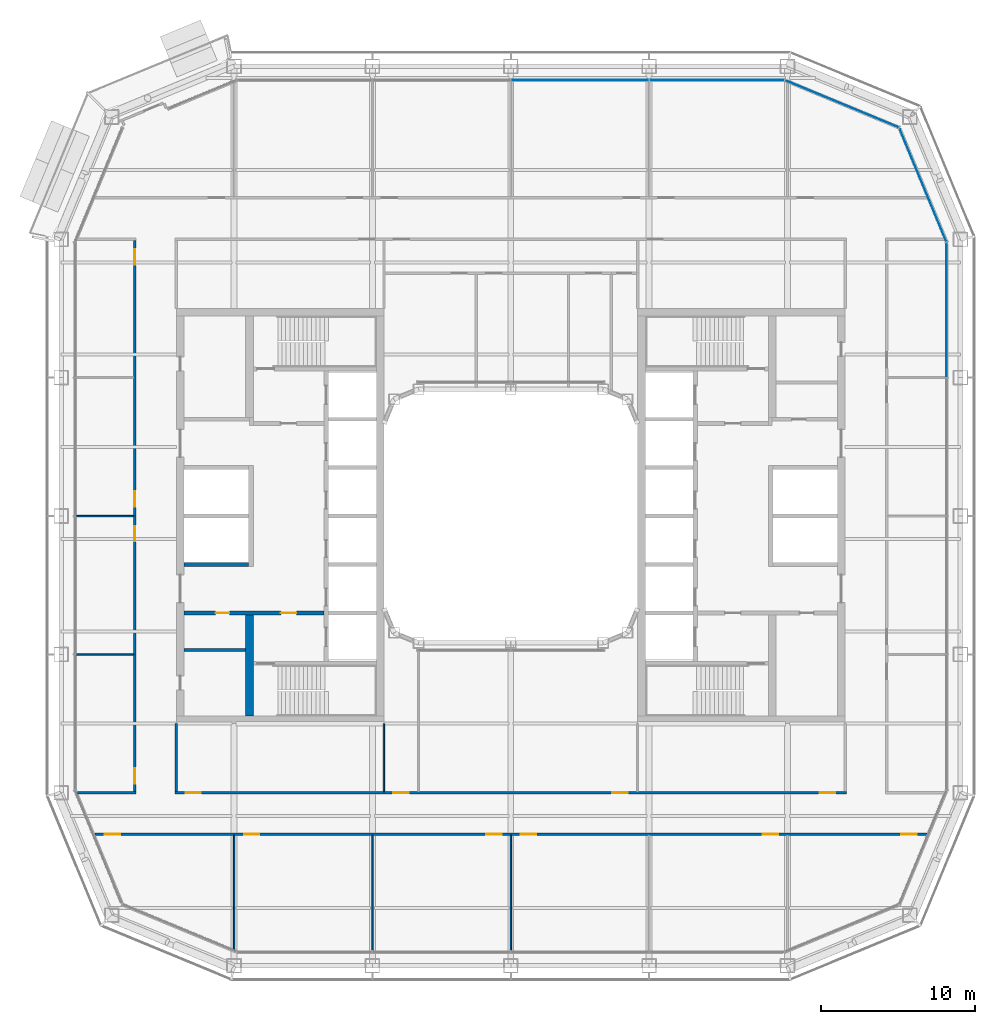
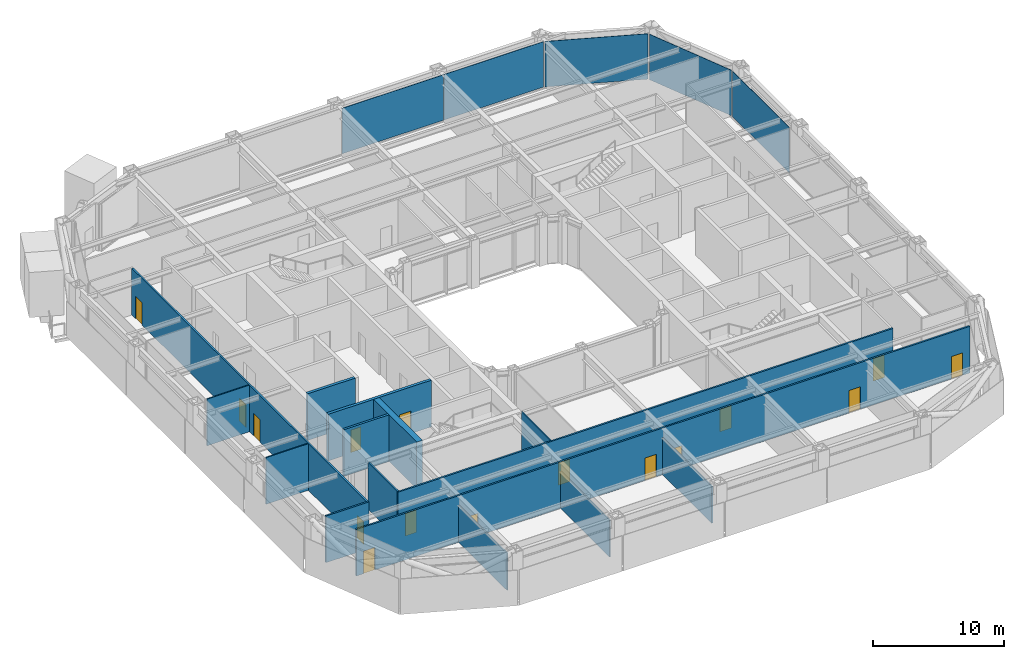
# One storey, part 11 of 23: 16 doors, 15 walls, 5 plates, 16 openings, 4 elements without a shape of their own.
"""IFC4 building model written with IfcOpenShell, lengths in metres."""

from ifc_helpers import new_model, si_unit, direction, frame, frame_2d, origin, origin_2d, place, context, subcontext, project, spatial, rectangle, extrude, material, layer, layer_set, type_object, element, fill, aggregate, save


model = new_model("IFC4")

# Units and contexts
model_context = context("Model", 3, precision=1e-05, world=origin(), true_north=direction((0.0, 1.0)))
body_context = subcontext(model_context, "Body", "Model", "MODEL_VIEW")
ifc_project = project(units=[si_unit("LENGTHUNIT", "METRE"), si_unit("AREAUNIT", "SQUARE_METRE"), si_unit("VOLUMEUNIT", "CUBIC_METRE"), si_unit("PLANEANGLEUNIT", "RADIAN"), si_unit("MASSUNIT", "GRAM", prefix="KILO")], contexts=[model_context])

# Site, building, storey
site_placement = place(None, origin())
site = spatial("IfcSite", under=ifc_project, at=site_placement, CompositionType="ELEMENT")
building_placement = place(site_placement, origin())
building = spatial("IfcBuilding", under=site, at=building_placement, Name="Siwar Civic Tower", CompositionType="ELEMENT")
storey_placement = place(building_placement, frame((0.0, 0.0, 118.199951171875)))
storey = spatial("IfcBuildingStorey", under=building, at=storey_placement, Name="L25", CompositionType="ELEMENT", Elevation=118.199951171875)

# Curtain wall, plate
ifc_material_1 = material(Name="Aluminium and glass", Category="aluminium")
ifc_layer_1 = layer(ifc_material_1, 0.199951171875)
ifc_layer_set_1 = layer_set([ifc_layer_1], Name="Aluminium and glass")
curtain_wall_type_1 = type_object("IfcCurtainWallType", Name="ENV-CW-B", PredefinedType="NOTDEFINED", material=ifc_layer_set_1)
curtain_wall_1_placement = place(storey_placement, origin())
curtain_wall_1 = element("IfcCurtainWall", 1, at=curtain_wall_1_placement, inside=storey, type_object=curtain_wall_type_1, Name="Curtain wall B E", PredefinedType="NOTDEFINED")
ifc_material_2 = material(Name="Glass clear laminated", Category="glass")
ifc_layer_2 = layer(ifc_material_2, 0.033935546875)
ifc_layer_set_2 = layer_set([ifc_layer_2], Name="Glass clear laminated")
plate_type_1 = type_object("IfcPlateType", Name="ENV-PANEL-B", PredefinedType="CURTAIN_PANEL", material=ifc_layer_set_2)
plate_1_placement = place(storey_placement, frame((28.35009765625, 13.369873046875, 0.10986328125), z_axis=(0.0, 0.0, 1.0), x_axis=(0.0, 1.0, 0.0)))
plate_1 = element("IfcPlate", 2, at=plate_1_placement, type_object=plate_type_1, Name="Curtain panel B E 4", PredefinedType="CURTAIN_PANEL", context=body_context, shape_type="SweptSolid", body=[
    extrude(rectangle(XDim=8.6748046875, YDim=0.033935546875, at=origin_2d()), origin(), (0.0, 0.0, 1.0), 4.239990234375),
])
aggregate(curtain_wall_1, [plate_1])

# Curtain wall, plates
curtain_wall_2_placement = place(storey_placement, origin())
curtain_wall_2 = element("IfcCurtainWall", 3, at=curtain_wall_2_placement, inside=storey, type_object=curtain_wall_type_1, Name="Curtain wall B N", PredefinedType="NOTDEFINED")
plate_2_placement = place(storey_placement, frame((13.410400390625, 28.35009765625, 0.10986328125), z_axis=(0.0, 0.0, 1.0), x_axis=(-1.0, 0.0, 0.0)))
plate_2 = element("IfcPlate", 4, at=plate_2_placement, type_object=plate_type_1, Name="Curtain panel B N 1", PredefinedType="CURTAIN_PANEL", context=body_context, shape_type="SweptSolid", body=[
    extrude(rectangle(XDim=8.755859375, YDim=0.033935546875, at=origin_2d()), origin(), (0.0, 0.0, 1.0), 4.239990234375),
])
plate_3_placement = place(storey_placement, frame((4.5, 28.35009765625, 0.10986328125), z_axis=(0.0, 0.0, 1.0), x_axis=(-1.0, 0.0, 0.0)))
plate_3 = element("IfcPlate", 5, at=plate_3_placement, type_object=plate_type_1, Name="Curtain panel B N 2", PredefinedType="CURTAIN_PANEL", context=body_context, shape_type="SweptSolid", body=[
    extrude(rectangle(XDim=8.93505859375, YDim=0.033935546875, at=origin_2d()), origin(), (0.0, 0.0, 1.0), 4.239990234375),
])
aggregate(curtain_wall_2, [plate_2, plate_3])

# Curtain wall, plate
ifc_material_3 = material(Name="Aluminium clad insulated panel", Category="aluminium")
ifc_layer_3 = layer(ifc_material_3, 0.199951171875)
ifc_layer_set_3 = layer_set([ifc_layer_3], Name="Aluminium clad insulated panel")
curtain_wall_type_2 = type_object("IfcCurtainWallType", Name="ENV-CW-BX", PredefinedType="NOTDEFINED", material=ifc_layer_set_3)
curtain_wall_3_placement = place(storey_placement, origin())
curtain_wall_3 = element("IfcCurtainWall", 6, at=curtain_wall_3_placement, inside=storey, type_object=curtain_wall_type_2, Name="Curtain wall B NE1", PredefinedType="NOTDEFINED")
ifc_material_4 = material(Name="Aluminium clad insulated panel", Category="aluminium")
ifc_layer_4 = layer(ifc_material_4, 0.033935546875)
ifc_layer_set_4 = layer_set([ifc_layer_4], Name="Aluminium clad insulated panel")
plate_type_2 = type_object("IfcPlateType", Name="ENV-PANEL-BX", PredefinedType="CURTAIN_PANEL", material=ifc_layer_set_4)
plate_4_placement = place(storey_placement, frame((26.823486328125, 21.506103515625, 0.10986328125), z_axis=(0.0, 0.0, 1.0), x_axis=(-0.382683432365, 0.923879532511, 0.0)))
plate_4 = element("IfcPlate", 7, at=plate_4_placement, type_object=plate_type_2, Name="Curtain panel B NE1 1", PredefinedType="CURTAIN_PANEL", context=body_context, shape_type="SweptSolid", body=[
    extrude(rectangle(XDim=7.912353515625, YDim=0.033935546875, at=origin_2d()), origin(), (0.0, 0.0, 1.0), 4.239990234375),
])
aggregate(curtain_wall_3, [plate_4])

curtain_wall_4_placement = place(storey_placement, origin())
curtain_wall_4 = element("IfcCurtainWall", 8, at=curtain_wall_4_placement, inside=storey, type_object=curtain_wall_type_2, Name="Curtain wall B NE2", PredefinedType="NOTDEFINED")
plate_5_placement = place(storey_placement, frame((21.5810546875, 26.79248046875, 0.10986328125), z_axis=(0.0, 0.0, 1.0), x_axis=(-0.923879532511, 0.382683432365, 0.0)))
plate_5 = element("IfcPlate", 9, at=plate_5_placement, type_object=plate_type_2, Name="Curtain panel B NE2 1", PredefinedType="CURTAIN_PANEL", context=body_context, shape_type="SweptSolid", body=[
    extrude(rectangle(XDim=7.912353515625, YDim=0.033935546875, at=origin_2d()), origin(), (0.0, 0.0, 1.0), 4.239990234375),
])
aggregate(curtain_wall_4, [plate_5])

# Wall
ifc_material_5 = material(Name="Gypsum board on steel studs", Category="steel")
ifc_layer_5 = layer(ifc_material_5, 0.199951171875)
ifc_layer_set_5 = layer_set([ifc_layer_5], Name="Gypsum board on steel studs")
wall_type_1 = type_object("IfcWallType", Name="CORE-PARTITION-200", PredefinedType="PARTITIONING", material=ifc_layer_set_5)
wall_1_placement = place(storey_placement, frame((-17.25, -8.699951171875, 0.0), z_axis=(0.0, 0.0, 1.0), x_axis=(-1.0, 0.0, 0.0)))
element("IfcWall", 10, at=wall_1_placement, inside=storey, type_object=wall_type_1, Name="Core partition W", PredefinedType="PARTITIONING", context=body_context, shape_type="SweptSolid", body=[
    extrude(rectangle(XDim=4.0, YDim=0.199951171875, at=frame_2d((2.0, 0.0))), origin(), (0.0, 0.0, 1.0), 4.35009765625),
])

# Wall, openings, doors
ifc_material_6 = material(Name="Concrete C60/75", Category="concrete")
ifc_layer_6 = layer(ifc_material_6, 0.25)
ifc_layer_set_6 = layer_set([ifc_layer_6], Name="Concrete C60/75")
wall_type_2 = type_object("IfcWallType", Name="CORE-WALL-RC250", PredefinedType="SHEAR", material=ifc_layer_set_6)
wall_2_placement = place(storey_placement, frame((-12.14990234375, -6.300048828125, 0.0), z_axis=(0.0, 0.0, 1.0), x_axis=(-1.0, 0.0, 0.0)))
wall_2 = element("IfcWall", 11, at=wall_2_placement, inside=storey, type_object=wall_type_2, Name="Core wall W", PredefinedType="SHEAR", context=body_context, shape_type="SweptSolid", body=[
    extrude(rectangle(XDim=9.10009765625, YDim=0.25, at=frame_2d((4.550048828125, 0.0))), origin(), (0.0, 0.0, 1.0), 4.35009765625),
])
opening_1_placement = place(wall_2_placement, frame((1.800048828125, 0.0, 0.0)))
opening_1 = element("IfcOpeningElement", 12, at=opening_1_placement, cuts=wall_2, Name="Opening L25-CW02", PredefinedType="OPENING", context=body_context, shape_type="SweptSolid", body=[
    extrude(rectangle(XDim=1.0, YDim=2.10009765625, at=frame_2d((0.5, 1.050048828125))), frame((0.0, 0.135009765625, 0.0), z_axis=(0.0, -1.0, 0.0), x_axis=(1.0, 0.0, 0.0)), (0.0, 0.0, 1.0), 0.27001953125),
])
opening_2_placement = place(wall_2_placement, frame((6.14990234375, 0.0, 0.0)))
opening_2 = element("IfcOpeningElement", 13, at=opening_2_placement, cuts=wall_2, Name="Opening L25-CW14", PredefinedType="OPENING", context=body_context, shape_type="SweptSolid", body=[
    extrude(rectangle(XDim=0.89990234375, YDim=2.10009765625, at=frame_2d((0.449951171875, 1.050048828125))), frame((0.0, 0.135009765625, 0.0), z_axis=(0.0, -1.0, 0.0), x_axis=(1.0, 0.0, 0.0)), (0.0, 0.0, 1.0), 0.27001953125),
])
ifc_material_7 = material(Name="Steel door leaf", Category="steel")
door_type_1 = type_object("IfcDoorType", Name="CORE-DOOR-FD30S", OperationType="SINGLE_SWING_LEFT", PredefinedType="DOOR", material=ifc_material_7)
door_1_placement = place(opening_1_placement, origin())
door_1 = element("IfcDoor", 14, at=door_1_placement, inside=storey, type_object=door_type_1, Name="Service lobby door L25-CW02", OperationType="SINGLE_SWING_RIGHT", OverallHeight=2.10009765625, OverallWidth=1.0, PredefinedType="DOOR", context=body_context, shape_type="SweptSolid", body=[
    extrude(rectangle(XDim=1.0, YDim=2.10009765625, at=frame_2d((0.5, 1.050048828125))), frame((0.0, 0.02490234375, 0.0), z_axis=(0.0, -1.0, 0.0), x_axis=(1.0, 0.0, 0.0)), (0.0, 0.0, 1.0), 0.050048828125),
])
fill(opening_1, door_1)
ifc_material_8 = material(Name="Steel door leaf", Category="steel")
door_type_2 = type_object("IfcDoorType", Name="CORE-DOOR-ROOM", OperationType="SINGLE_SWING_LEFT", PredefinedType="DOOR", material=ifc_material_8)
door_2_placement = place(opening_2_placement, origin())
door_2 = element("IfcDoor", 15, at=door_2_placement, inside=storey, type_object=door_type_2, Name="Core room door L25-CW14", OperationType="SINGLE_SWING_RIGHT", OverallHeight=2.10009765625, OverallWidth=0.89990234375, PredefinedType="DOOR", context=body_context, shape_type="SweptSolid", body=[
    extrude(rectangle(XDim=0.89990234375, YDim=2.10009765625, at=frame_2d((0.449951171875, 1.050048828125))), frame((0.0, 0.02490234375, 0.0), z_axis=(0.0, -1.0, 0.0), x_axis=(1.0, 0.0, 0.0)), (0.0, 0.0, 1.0), 0.050048828125),
])
fill(opening_2, door_2)

# Walls
wall_3_placement = place(storey_placement, frame((-17.050048828125, -3.14990234375, 0.0), z_axis=(0.0, 0.0, 1.0), x_axis=(-1.0, 0.0, 0.0)))
element("IfcWall", 16, at=wall_3_placement, inside=storey, type_object=wall_type_2, Name="Core wall W", PredefinedType="SHEAR", context=body_context, shape_type="SweptSolid", body=[
    extrude(rectangle(XDim=4.199951171875, YDim=0.25, at=frame_2d((2.10009765625, 0.0))), origin(), (0.0, 0.0, 1.0), 4.35009765625),
])
ifc_material_9 = material(Name="Concrete C60/75", Category="concrete")
ifc_layer_7 = layer(ifc_material_9, 0.5)
ifc_layer_set_7 = layer_set([ifc_layer_7], Name="Concrete C60/75")
wall_type_3 = type_object("IfcWallType", Name="CORE-WALL-RC500", PredefinedType="SHEAR", material=ifc_layer_set_7)
wall_4_placement = place(storey_placement, frame((-17.0, -13.0, 0.0), z_axis=(0.0, 0.0, 1.0), x_axis=(0.0, 1.0, 0.0)))
element("IfcWall", 17, at=wall_4_placement, inside=storey, type_object=wall_type_3, Name="Core wall W", PredefinedType="SHEAR", context=body_context, shape_type="SweptSolid", body=[
    extrude(rectangle(XDim=6.574951171875, YDim=0.5, at=frame_2d((3.28759765625, 0.0))), origin(), (0.0, 0.0, 1.0), 4.35009765625),
])

# Wall, openings, doors
ifc_material_10 = material(Name="Gypsum board on steel studs", Category="steel")
ifc_layer_8 = layer(ifc_material_10, 0.14990234375)
ifc_layer_set_8 = layer_set([ifc_layer_8], Name="Gypsum board on steel studs")
wall_type_4 = type_object("IfcWallType", Name="CORRIDOR PARTITION 150 EI 30", PredefinedType="PARTITIONING", material=ifc_layer_set_8)
wall_5_placement = place(storey_placement, frame((-27.06005859375, -20.699951171875, 0.0), z_axis=(0.0, 0.0, 1.0), x_axis=(1.0, 0.0, 0.0)))
wall_5 = element("IfcWall", 18, at=wall_5_placement, inside=storey, type_object=wall_type_4, Name="L25/wall/P01", PredefinedType="PARTITIONING", context=body_context, shape_type="SweptSolid", body=[
    extrude(rectangle(XDim=54.1201171875, YDim=0.14990234375, at=frame_2d((27.06005859375, 0.0))), origin(), (0.0, 0.0, 1.0), 4.35009765625),
])
opening_3_placement = place(wall_5_placement, frame((9.7099609375, 0.0, 0.0)))
opening_3 = element("IfcOpeningElement", 19, at=opening_3_placement, cuts=wall_5, Name="Opening D1", PredefinedType="OPENING", context=body_context, shape_type="SweptSolid", body=[
    extrude(rectangle(XDim=1.0, YDim=2.10009765625, at=frame_2d((0.5, 1.050048828125))), frame((0.0, 0.0849609375, 0.0), z_axis=(0.0, -1.0, 0.0), x_axis=(1.0, 0.0, 0.0)), (0.0, 0.0, 1.0), 0.169921875),
])
opening_4_placement = place(wall_5_placement, frame((25.4599609375, 0.0, 0.0)))
opening_4 = element("IfcOpeningElement", 20, at=opening_4_placement, cuts=wall_5, Name="Opening D1", PredefinedType="OPENING", context=body_context, shape_type="SweptSolid", body=[
    extrude(rectangle(XDim=1.0, YDim=2.10009765625, at=frame_2d((0.5, 1.050048828125))), frame((0.0, 0.0849609375, 0.0), z_axis=(0.0, -1.0, 0.0), x_axis=(1.0, 0.0, 0.0)), (0.0, 0.0, 1.0), 0.169921875),
])
opening_5_placement = place(wall_5_placement, frame((27.7099609375, 0.0, 0.0)))
opening_5 = element("IfcOpeningElement", 21, at=opening_5_placement, cuts=wall_5, Name="Opening D1", PredefinedType="OPENING", context=body_context, shape_type="SweptSolid", body=[
    extrude(rectangle(XDim=1.0, YDim=2.10009765625, at=frame_2d((0.5, 1.050048828125))), frame((0.0, 0.0849609375, 0.0), z_axis=(0.0, -1.0, 0.0), x_axis=(1.0, 0.0, 0.0)), (0.0, 0.0, 1.0), 0.169921875),
])
opening_6_placement = place(wall_5_placement, frame((43.4599609375, 0.0, 0.0)))
opening_6 = element("IfcOpeningElement", 22, at=opening_6_placement, cuts=wall_5, Name="Opening D1", PredefinedType="OPENING", context=body_context, shape_type="SweptSolid", body=[
    extrude(rectangle(XDim=1.0, YDim=2.10009765625, at=frame_2d((0.5, 1.050048828125))), frame((0.0, 0.0849609375, 0.0), z_axis=(0.0, -1.0, 0.0), x_axis=(1.0, 0.0, 0.0)), (0.0, 0.0, 1.0), 0.169921875),
])
opening_7_placement = place(wall_5_placement, frame((0.64990234375, 0.0, 0.0)))
opening_7 = element("IfcOpeningElement", 23, at=opening_7_placement, cuts=wall_5, Name="Opening D1", PredefinedType="OPENING", context=body_context, shape_type="SweptSolid", body=[
    extrude(rectangle(XDim=1.0, YDim=2.10009765625, at=frame_2d((0.5, 1.050048828125))), frame((0.0, 0.0849609375, 0.0), z_axis=(0.0, -1.0, 0.0), x_axis=(1.0, 0.0, 0.0)), (0.0, 0.0, 1.0), 0.169921875),
])
opening_8_placement = place(wall_5_placement, frame((52.4599609375, 0.0, 0.0)))
opening_8 = element("IfcOpeningElement", 24, at=opening_8_placement, cuts=wall_5, Name="Opening D1", PredefinedType="OPENING", context=body_context, shape_type="SweptSolid", body=[
    extrude(rectangle(XDim=1.0, YDim=2.10009765625, at=frame_2d((0.5, 1.050048828125))), frame((0.0, 0.0849609375, 0.0), z_axis=(0.0, -1.0, 0.0), x_axis=(1.0, 0.0, 0.0)), (0.0, 0.0, 1.0), 0.169921875),
])
ifc_material_11 = material(Name="Timber, painted", Category="wood")
door_type_3 = type_object("IfcDoorType", Name="DOOR 1000 X 2100 FD30", OperationType="SINGLE_SWING_LEFT", PredefinedType="DOOR", material=ifc_material_11)
door_3_placement = place(opening_3_placement, origin())
door_3 = element("IfcDoor", 25, at=door_3_placement, inside=storey, type_object=door_type_3, Name="L25-D05", OperationType="SINGLE_SWING_LEFT", OverallHeight=2.10009765625, OverallWidth=1.0, PredefinedType="DOOR", context=body_context, shape_type="SweptSolid", body=[
    extrude(rectangle(XDim=1.0, YDim=2.10009765625, at=frame_2d((0.5, 1.050048828125))), frame((0.0, 0.02490234375, 0.0), z_axis=(0.0, -1.0, 0.0), x_axis=(1.0, 0.0, 0.0)), (0.0, 0.0, 1.0), 0.050048828125),
])
fill(opening_3, door_3)
door_4_placement = place(opening_4_placement, origin())
door_4 = element("IfcDoor", 26, at=door_4_placement, inside=storey, type_object=door_type_3, Name="L25-D06", OperationType="SINGLE_SWING_RIGHT", OverallHeight=2.10009765625, OverallWidth=1.0, PredefinedType="DOOR", context=body_context, shape_type="SweptSolid", body=[
    extrude(rectangle(XDim=1.0, YDim=2.10009765625, at=frame_2d((0.5, 1.050048828125))), frame((0.0, 0.02490234375, 0.0), z_axis=(0.0, -1.0, 0.0), x_axis=(1.0, 0.0, 0.0)), (0.0, 0.0, 1.0), 0.050048828125),
])
fill(opening_4, door_4)
door_5_placement = place(opening_5_placement, origin())
door_5 = element("IfcDoor", 27, at=door_5_placement, inside=storey, type_object=door_type_3, Name="L25-D07", OperationType="SINGLE_SWING_LEFT", OverallHeight=2.10009765625, OverallWidth=1.0, PredefinedType="DOOR", context=body_context, shape_type="SweptSolid", body=[
    extrude(rectangle(XDim=1.0, YDim=2.10009765625, at=frame_2d((0.5, 1.050048828125))), frame((0.0, 0.02490234375, 0.0), z_axis=(0.0, -1.0, 0.0), x_axis=(1.0, 0.0, 0.0)), (0.0, 0.0, 1.0), 0.050048828125),
])
fill(opening_5, door_5)
door_6_placement = place(opening_6_placement, origin())
door_6 = element("IfcDoor", 28, at=door_6_placement, inside=storey, type_object=door_type_3, Name="L25-D08", OperationType="SINGLE_SWING_RIGHT", OverallHeight=2.10009765625, OverallWidth=1.0, PredefinedType="DOOR", context=body_context, shape_type="SweptSolid", body=[
    extrude(rectangle(XDim=1.0, YDim=2.10009765625, at=frame_2d((0.5, 1.050048828125))), frame((0.0, 0.02490234375, 0.0), z_axis=(0.0, -1.0, 0.0), x_axis=(1.0, 0.0, 0.0)), (0.0, 0.0, 1.0), 0.050048828125),
])
fill(opening_6, door_6)
door_7_placement = place(opening_7_placement, origin())
door_7 = element("IfcDoor", 29, at=door_7_placement, inside=storey, type_object=door_type_3, Name="L25-D11", OperationType="SINGLE_SWING_LEFT", OverallHeight=2.10009765625, OverallWidth=1.0, PredefinedType="DOOR", context=body_context, shape_type="SweptSolid", body=[
    extrude(rectangle(XDim=1.0, YDim=2.10009765625, at=frame_2d((0.5, 1.050048828125))), frame((0.0, 0.02490234375, 0.0), z_axis=(0.0, -1.0, 0.0), x_axis=(1.0, 0.0, 0.0)), (0.0, 0.0, 1.0), 0.050048828125),
])
fill(opening_7, door_7)
door_8_placement = place(opening_8_placement, origin())
door_8 = element("IfcDoor", 30, at=door_8_placement, inside=storey, type_object=door_type_3, Name="L25-D12", OperationType="SINGLE_SWING_RIGHT", OverallHeight=2.10009765625, OverallWidth=1.0, PredefinedType="DOOR", context=body_context, shape_type="SweptSolid", body=[
    extrude(rectangle(XDim=1.0, YDim=2.10009765625, at=frame_2d((0.5, 1.050048828125))), frame((0.0, 0.02490234375, 0.0), z_axis=(0.0, -1.0, 0.0), x_axis=(1.0, 0.0, 0.0)), (0.0, 0.0, 1.0), 0.050048828125),
])
fill(opening_8, door_8)

# Wall
wall_6_placement = place(storey_placement, frame((-28.177978515625, -18.0, 0.0), z_axis=(0.0, 0.0, 1.0), x_axis=(1.0, 0.0, 0.0)))
element("IfcWall", 31, at=wall_6_placement, inside=storey, type_object=wall_type_4, Name="L25/wall/P02", PredefinedType="PARTITIONING", context=body_context, shape_type="SweptSolid", body=[
    extrude(rectangle(XDim=3.802978515625, YDim=0.14990234375, at=frame_2d((1.9013671875, 0.0))), origin(), (0.0, 0.0, 1.0), 4.35009765625),
])

# Wall, openings, doors
wall_7_placement = place(storey_placement, frame((-21.824951171875, -18.0, 0.0), z_axis=(0.0, 0.0, 1.0), x_axis=(1.0, 0.0, 0.0)))
wall_7 = element("IfcWall", 32, at=wall_7_placement, inside=storey, type_object=wall_type_4, Name="L25/wall/P03", PredefinedType="PARTITIONING", context=body_context, shape_type="SweptSolid", body=[
    extrude(rectangle(XDim=43.64990234375, YDim=0.14990234375, at=frame_2d((21.824951171875, 0.0))), origin(), (0.0, 0.0, 1.0), 4.35009765625),
])
opening_9_placement = place(wall_7_placement, frame((14.175048828125, 0.0, 0.0)))
opening_9 = element("IfcOpeningElement", 33, at=opening_9_placement, cuts=wall_7, Name="Opening D3", PredefinedType="OPENING", context=body_context, shape_type="SweptSolid", body=[
    extrude(rectangle(XDim=1.0, YDim=2.10009765625, at=frame_2d((0.5, 1.050048828125))), frame((0.0, 0.0849609375, 0.0), z_axis=(0.0, -1.0, 0.0), x_axis=(1.0, 0.0, 0.0)), (0.0, 0.0, 1.0), 0.169921875),
])
opening_10_placement = place(wall_7_placement, frame((28.425048828125, 0.0, 0.0)))
opening_10 = element("IfcOpeningElement", 34, at=opening_10_placement, cuts=wall_7, Name="Opening D1", PredefinedType="OPENING", context=body_context, shape_type="SweptSolid", body=[
    extrude(rectangle(XDim=1.0, YDim=2.10009765625, at=frame_2d((0.5, 1.050048828125))), frame((0.0, 0.0849609375, 0.0), z_axis=(0.0, -1.0, 0.0), x_axis=(1.0, 0.0, 0.0)), (0.0, 0.0, 1.0), 0.169921875),
])
opening_11_placement = place(wall_7_placement, frame((0.675048828125, 0.0, 0.0)))
opening_11 = element("IfcOpeningElement", 35, at=opening_11_placement, cuts=wall_7, Name="Opening D1", PredefinedType="OPENING", context=body_context, shape_type="SweptSolid", body=[
    extrude(rectangle(XDim=1.0, YDim=2.10009765625, at=frame_2d((0.5, 1.050048828125))), frame((0.0, 0.0849609375, 0.0), z_axis=(0.0, -1.0, 0.0), x_axis=(1.0, 0.0, 0.0)), (0.0, 0.0, 1.0), 0.169921875),
])
opening_12_placement = place(wall_7_placement, frame((41.925048828125, 0.0, 0.0)))
opening_12 = element("IfcOpeningElement", 36, at=opening_12_placement, cuts=wall_7, Name="Opening D1", PredefinedType="OPENING", context=body_context, shape_type="SweptSolid", body=[
    extrude(rectangle(XDim=1.0, YDim=2.10009765625, at=frame_2d((0.5, 1.050048828125))), frame((0.0, 0.0849609375, 0.0), z_axis=(0.0, -1.0, 0.0), x_axis=(1.0, 0.0, 0.0)), (0.0, 0.0, 1.0), 0.169921875),
])
door_9_placement = place(opening_10_placement, origin())
door_9 = element("IfcDoor", 37, at=door_9_placement, inside=storey, type_object=door_type_3, Name="L25-D19", OperationType="SINGLE_SWING_LEFT", OverallHeight=2.10009765625, OverallWidth=1.0, PredefinedType="DOOR", context=body_context, shape_type="SweptSolid", body=[
    extrude(rectangle(XDim=1.0, YDim=2.10009765625, at=frame_2d((0.5, 1.050048828125))), frame((0.0, 0.02490234375, 0.0), z_axis=(0.0, -1.0, 0.0), x_axis=(1.0, 0.0, 0.0)), (0.0, 0.0, 1.0), 0.050048828125),
])
fill(opening_10, door_9)
door_10_placement = place(opening_11_placement, origin())
door_10 = element("IfcDoor", 38, at=door_10_placement, inside=storey, type_object=door_type_3, Name="L25-D22", OperationType="SINGLE_SWING_RIGHT", OverallHeight=2.10009765625, OverallWidth=1.0, PredefinedType="DOOR", context=body_context, shape_type="SweptSolid", body=[
    extrude(rectangle(XDim=1.0, YDim=2.10009765625, at=frame_2d((0.5, 1.050048828125))), frame((0.0, 0.02490234375, 0.0), z_axis=(0.0, -1.0, 0.0), x_axis=(1.0, 0.0, 0.0)), (0.0, 0.0, 1.0), 0.050048828125),
])
fill(opening_11, door_10)
door_11_placement = place(opening_12_placement, origin())
door_11 = element("IfcDoor", 39, at=door_11_placement, inside=storey, type_object=door_type_3, Name="L25-D23", OperationType="SINGLE_SWING_LEFT", OverallHeight=2.10009765625, OverallWidth=1.0, PredefinedType="DOOR", context=body_context, shape_type="SweptSolid", body=[
    extrude(rectangle(XDim=1.0, YDim=2.10009765625, at=frame_2d((0.5, 1.050048828125))), frame((0.0, 0.02490234375, 0.0), z_axis=(0.0, -1.0, 0.0), x_axis=(1.0, 0.0, 0.0)), (0.0, 0.0, 1.0), 0.050048828125),
])
fill(opening_12, door_11)
ifc_material_12 = material(Name="Timber, painted", Category="wood")
door_type_4 = type_object("IfcDoorType", Name="DOOR 1000 X 2100 WC", OperationType="SINGLE_SWING_LEFT", PredefinedType="DOOR", material=ifc_material_12)
door_12_placement = place(opening_9_placement, origin())
door_12 = element("IfcDoor", 40, at=door_12_placement, inside=storey, type_object=door_type_4, Name="L25-D18", OperationType="SINGLE_SWING_RIGHT", OverallHeight=2.10009765625, OverallWidth=1.0, PredefinedType="DOOR", context=body_context, shape_type="SweptSolid", body=[
    extrude(rectangle(XDim=1.0, YDim=2.10009765625, at=frame_2d((0.5, 1.050048828125))), frame((0.0, 0.02490234375, 0.0), z_axis=(0.0, -1.0, 0.0), x_axis=(1.0, 0.0, 0.0)), (0.0, 0.0, 1.0), 0.050048828125),
])
fill(opening_9, door_12)

wall_8_placement = place(storey_placement, frame((-24.449951171875, -17.925048828125, 0.0), z_axis=(0.0, 0.0, 1.0), x_axis=(0.0, 1.0, 0.0)))
wall_8 = element("IfcWall", 41, at=wall_8_placement, inside=storey, type_object=wall_type_4, Name="L25/wall/P17", PredefinedType="PARTITIONING", context=body_context, shape_type="SweptSolid", body=[
    extrude(rectangle(XDim=35.85009765625, YDim=0.14990234375, at=frame_2d((17.925048828125, 0.0))), origin(), (0.0, 0.0, 1.0), 4.35009765625),
])
opening_13_placement = place(wall_8_placement, frame((0.52490234375, 0.0, 0.0)))
opening_13 = element("IfcOpeningElement", 42, at=opening_13_placement, cuts=wall_8, Name="Opening D1", PredefinedType="OPENING", context=body_context, shape_type="SweptSolid", body=[
    extrude(rectangle(XDim=1.0, YDim=2.10009765625, at=frame_2d((0.5, 1.050048828125))), frame((0.0, 0.0849609375, 0.0), z_axis=(0.0, -1.0, 0.0), x_axis=(1.0, 0.0, 0.0)), (0.0, 0.0, 1.0), 0.169921875),
])
opening_14_placement = place(wall_8_placement, frame((16.27490234375, 0.0, 0.0)))
opening_14 = element("IfcOpeningElement", 43, at=opening_14_placement, cuts=wall_8, Name="Opening D1", PredefinedType="OPENING", context=body_context, shape_type="SweptSolid", body=[
    extrude(rectangle(XDim=1.0, YDim=2.10009765625, at=frame_2d((0.5, 1.050048828125))), frame((0.0, 0.0849609375, 0.0), z_axis=(0.0, -1.0, 0.0), x_axis=(1.0, 0.0, 0.0)), (0.0, 0.0, 1.0), 0.169921875),
])
opening_15_placement = place(wall_8_placement, frame((18.52490234375, 0.0, 0.0)))
opening_15 = element("IfcOpeningElement", 44, at=opening_15_placement, cuts=wall_8, Name="Opening D1", PredefinedType="OPENING", context=body_context, shape_type="SweptSolid", body=[
    extrude(rectangle(XDim=1.0, YDim=2.10009765625, at=frame_2d((0.5, 1.050048828125))), frame((0.0, 0.0849609375, 0.0), z_axis=(0.0, -1.0, 0.0), x_axis=(1.0, 0.0, 0.0)), (0.0, 0.0, 1.0), 0.169921875),
])
opening_16_placement = place(wall_8_placement, frame((34.27490234375, 0.0, 0.0)))
opening_16 = element("IfcOpeningElement", 45, at=opening_16_placement, cuts=wall_8, Name="Opening D1", PredefinedType="OPENING", context=body_context, shape_type="SweptSolid", body=[
    extrude(rectangle(XDim=1.0, YDim=2.10009765625, at=frame_2d((0.5, 1.050048828125))), frame((0.0, 0.0849609375, 0.0), z_axis=(0.0, -1.0, 0.0), x_axis=(1.0, 0.0, 0.0)), (0.0, 0.0, 1.0), 0.169921875),
])
door_13_placement = place(opening_13_placement, origin())
door_13 = element("IfcDoor", 46, at=door_13_placement, inside=storey, type_object=door_type_3, Name="L25-D24", OperationType="SINGLE_SWING_RIGHT", OverallHeight=2.10009765625, OverallWidth=1.0, PredefinedType="DOOR", context=body_context, shape_type="SweptSolid", body=[
    extrude(rectangle(XDim=1.0, YDim=2.10009765625, at=frame_2d((0.5, 1.050048828125))), frame((0.0, 0.02490234375, 0.0), z_axis=(0.0, -1.0, 0.0), x_axis=(1.0, 0.0, 0.0)), (0.0, 0.0, 1.0), 0.050048828125),
])
fill(opening_13, door_13)
door_14_placement = place(opening_14_placement, origin())
door_14 = element("IfcDoor", 47, at=door_14_placement, inside=storey, type_object=door_type_3, Name="L25-D25", OperationType="SINGLE_SWING_LEFT", OverallHeight=2.10009765625, OverallWidth=1.0, PredefinedType="DOOR", context=body_context, shape_type="SweptSolid", body=[
    extrude(rectangle(XDim=1.0, YDim=2.10009765625, at=frame_2d((0.5, 1.050048828125))), frame((0.0, 0.02490234375, 0.0), z_axis=(0.0, -1.0, 0.0), x_axis=(1.0, 0.0, 0.0)), (0.0, 0.0, 1.0), 0.050048828125),
])
fill(opening_14, door_14)
door_15_placement = place(opening_15_placement, origin())
door_15 = element("IfcDoor", 48, at=door_15_placement, inside=storey, type_object=door_type_3, Name="L25-D26", OperationType="SINGLE_SWING_RIGHT", OverallHeight=2.10009765625, OverallWidth=1.0, PredefinedType="DOOR", context=body_context, shape_type="SweptSolid", body=[
    extrude(rectangle(XDim=1.0, YDim=2.10009765625, at=frame_2d((0.5, 1.050048828125))), frame((0.0, 0.02490234375, 0.0), z_axis=(0.0, -1.0, 0.0), x_axis=(1.0, 0.0, 0.0)), (0.0, 0.0, 1.0), 0.050048828125),
])
fill(opening_15, door_15)
door_16_placement = place(opening_16_placement, origin())
door_16 = element("IfcDoor", 49, at=door_16_placement, inside=storey, type_object=door_type_3, Name="L25-D27", OperationType="SINGLE_SWING_LEFT", OverallHeight=2.10009765625, OverallWidth=1.0, PredefinedType="DOOR", context=body_context, shape_type="SweptSolid", body=[
    extrude(rectangle(XDim=1.0, YDim=2.10009765625, at=frame_2d((0.5, 1.050048828125))), frame((0.0, 0.02490234375, 0.0), z_axis=(0.0, -1.0, 0.0), x_axis=(1.0, 0.0, 0.0)), (0.0, 0.0, 1.0), 0.050048828125),
])
fill(opening_16, door_16)

# Walls
wall_9_placement = place(storey_placement, frame((-21.75, -17.925048828125, 0.0), z_axis=(0.0, 0.0, 1.0), x_axis=(0.0, 1.0, 0.0)))
element("IfcWall", 50, at=wall_9_placement, inside=storey, type_object=wall_type_4, Name="L25/wall/P18", PredefinedType="PARTITIONING", context=body_context, shape_type="SweptSolid", body=[
    extrude(rectangle(XDim=4.425048828125, YDim=0.14990234375, at=frame_2d((2.21240234375, 0.0))), origin(), (0.0, 0.0, 1.0), 4.35009765625),
])
ifc_material_13 = material(Name="Gypsum board on steel studs", Category="steel")
ifc_layer_9 = layer(ifc_material_13, 0.10009765625)
ifc_layer_set_9 = layer_set([ifc_layer_9], Name="Gypsum board on steel studs")
wall_type_5 = type_object("IfcWallType", Name="PARTITION 100 GYPSUM", PredefinedType="PARTITIONING", material=ifc_layer_set_9)
for number, where, z_axis, x_axis, name in (
    (51, (-28.260009765625, -9.0, 0.0), (0.0, 0.0, 1.0), (1.0, 0.0, 0.0), "L25/wall/P05"),
    (52, (-28.260009765625, 0.0, 0.0), (0.0, 0.0, 1.0), (1.0, 0.0, 0.0), "L25/wall/P07"),
):
    element("IfcWall", number, at=place(storey_placement, frame(where, z_axis=z_axis, x_axis=x_axis)), inside=storey, type_object=wall_type_5, Name=name, PredefinedType="PARTITIONING", context=body_context, shape_type="SweptSolid", body=[
        extrude(rectangle(XDim=3.735107421875, YDim=0.10009765625, at=frame_2d((1.86767578125, 0.0))), origin(), (0.0, 0.0, 1.0), 4.35009765625),
    ])
wall_10_placement = place(storey_placement, frame((-18.0, -28.177978515625, 0.0), z_axis=(0.0, 0.0, 1.0), x_axis=(0.0, 1.0, 0.0)))
element("IfcWall", 53, at=wall_10_placement, inside=storey, type_object=wall_type_5, Name="L25/wall/P20", PredefinedType="PARTITIONING", context=body_context, shape_type="SweptSolid", body=[
    extrude(rectangle(XDim=7.403076171875, YDim=0.10009765625, at=frame_2d((3.70166015625, 0.0))), origin(), (0.0, 0.0, 1.0), 3.449951171875),
])
wall_11_placement = place(storey_placement, frame((-9.0, -28.260009765625, 0.0), z_axis=(0.0, 0.0, 1.0), x_axis=(0.0, 1.0, 0.0)))
element("IfcWall", 54, at=wall_11_placement, inside=storey, type_object=wall_type_5, Name="L25/wall/P22", PredefinedType="PARTITIONING", context=body_context, shape_type="SweptSolid", body=[
    extrude(rectangle(XDim=7.485107421875, YDim=0.10009765625, at=frame_2d((3.74267578125, 0.0))), origin(), (0.0, 0.0, 1.0), 3.449951171875),
])
wall_12_placement = place(storey_placement, frame((-8.25, -17.925048828125, 0.0), z_axis=(0.0, 0.0, 1.0), x_axis=(0.0, 1.0, 0.0)))
element("IfcWall", 55, at=wall_12_placement, inside=storey, type_object=wall_type_5, Name="L25/wall/P24", PredefinedType="PARTITIONING", context=body_context, shape_type="SweptSolid", body=[
    extrude(rectangle(XDim=4.425048828125, YDim=0.10009765625, at=frame_2d((2.21240234375, 0.0))), origin(), (0.0, 0.0, 1.0), 4.35009765625),
])
wall_13_placement = place(storey_placement, frame((0.0, -28.260009765625, 0.0), z_axis=(0.0, 0.0, 1.0), x_axis=(0.0, 1.0, 0.0)))
element("IfcWall", 56, at=wall_13_placement, inside=storey, type_object=wall_type_5, Name="L25/wall/P28", PredefinedType="PARTITIONING", context=body_context, shape_type="SweptSolid", body=[
    extrude(rectangle(XDim=7.485107421875, YDim=0.10009765625, at=frame_2d((3.74267578125, 0.0))), origin(), (0.0, 0.0, 1.0), 3.449951171875),
])

save(model, "model.ifc")
